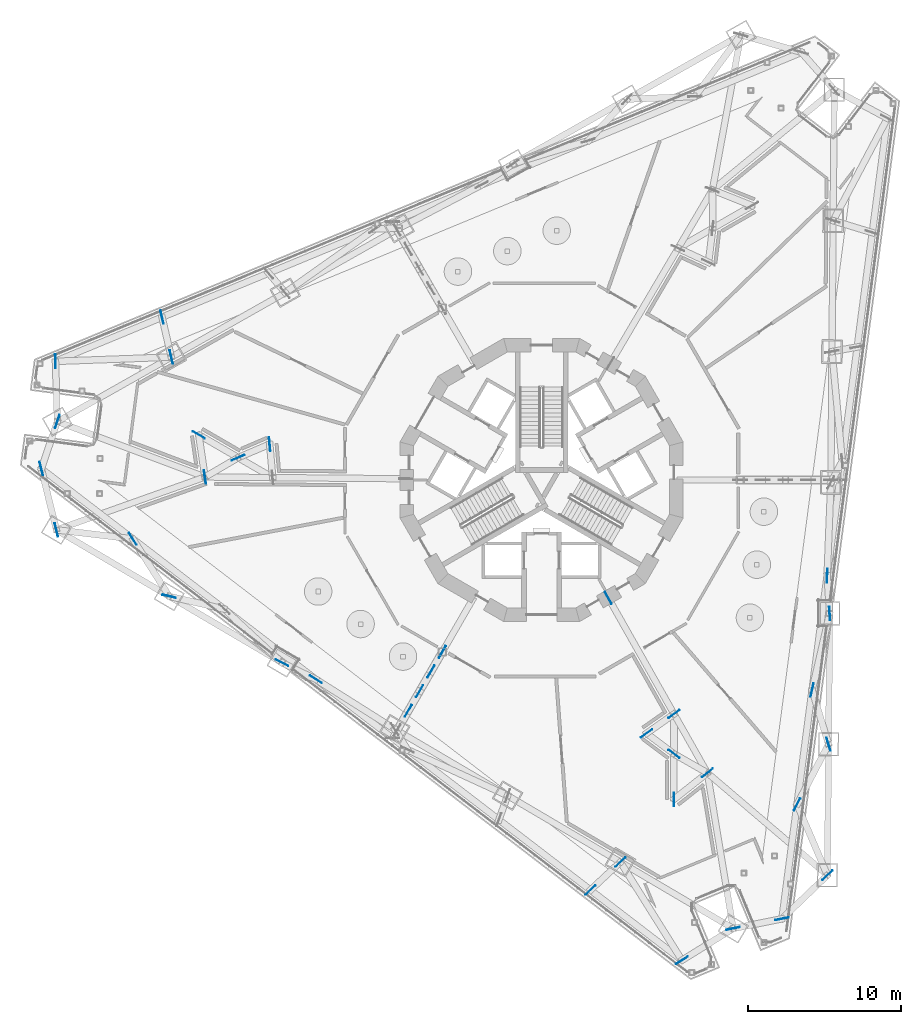
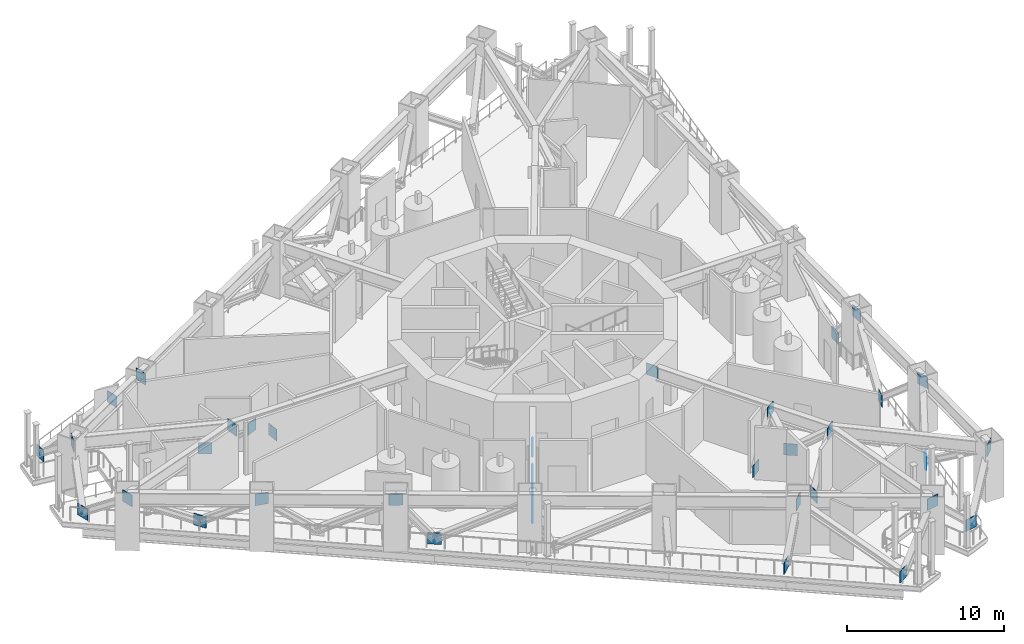
# One storey, part 13 of 23: 37 discrete accessories.
"""IFC4 building model written with IfcOpenShell, lengths in metres."""

from ifc_helpers import new_model, si_unit, direction, frame, origin, origin_2d, place, context, subcontext, project, spatial, rectangle, extrude, material, element, save


model = new_model("IFC4")

# Units and contexts
model_context = context("Model", 3, precision=1e-05, world=origin(), true_north=direction((0.0, 1.0)))
body_context = subcontext(model_context, "Body", "Model", "MODEL_VIEW")
ifc_project = project(units=[si_unit("LENGTHUNIT", "METRE"), si_unit("AREAUNIT", "SQUARE_METRE"), si_unit("VOLUMEUNIT", "CUBIC_METRE"), si_unit("PLANEANGLEUNIT", "RADIAN"), si_unit("MASSUNIT", "GRAM", prefix="KILO")], contexts=[model_context])

# Site, building, storey
site_placement = place(None, origin())
site = spatial("IfcSite", under=ifc_project, at=site_placement, CompositionType="ELEMENT")
building_placement = place(site_placement, origin())
building = spatial("IfcBuilding", under=site, at=building_placement, Name="Trine Commons Tower", CompositionType="ELEMENT")
storey_placement = place(building_placement, frame((0.0, 0.0, 156.60009765625)))
storey = spatial("IfcBuildingStorey", under=building, at=storey_placement, Name="L40", CompositionType="ELEMENT", Elevation=156.60009765625)

# Discrete accessories
ifc_material = material(Name="Structural steel ASTM A572 Gr50", Category="steel")
for number, where, z_axis, x_axis, name in (
    (1, (47.248779296875, 63.23681640625, 0.032470703125), (0.0, 0.0, 1.0), (0.239041909578, -0.971009250968, 0.0), "Gusset plate GP4-04"),
    (2, (48.174072265625, 70.264892578125, 0.032470703125), (0.0, 0.0, 1.0), (0.030992084006, -0.999519629987, 0.0), "Gusset plate GP4-05"),
    (3, (53.239990234375, 58.639404296875, 0.032470703125), (0.0, 0.0, 1.0), (0.535016051605, -0.844841893211, 0.0), "Gusset plate GP4-06"),
    (4, (55.151123046875, 73.155029296875, 0.032470703125), (0.0, 0.0, 1.0), (0.225444198516, -0.974256082021, 0.0), "Gusset plate GP4-07"),
    (5, (57.556884765625, 65.45458984375, 0.032470703125), (0.0, 0.0, 1.0), (0.865422637347, -0.501042571812, 0.0), "Gusset plate GP4-08"),
    (6, (62.198974609375, 64.843505859375, 0.032470703125), (0.0, 0.0, 1.0), (0.089224591698, -0.99601153218, 0.0), "Gusset plate GP4-11"),
    (7, (65.222900390625, 49.444580078125, 0.032470703125), (0.0, 0.0, 1.0), (0.845541503578, -0.533909698101, 0.0), "Gusset plate GP4-12"),
    (8, (83.197021484375, 35.652587890625, 0.032470703125), (0.0, 0.0, 1.0), (0.731008417564, 0.682368444061, 0.0), "Gusset plate GP4-18"),
    (9, (86.87109375, 45.912109375, 0.032470703125), (0.0, 0.0, 1.0), (0.817938912044, 0.575305080948, 0.0), "Gusset plate GP4-19"),
    (10, (88.66259765625, 41.58642578125, 0.032470703125), (0.0, 0.0, 1.0), (0.001204276893, 0.999999274858, 0.0), "Gusset plate GP4-20"),
    (11, (89.188232421875, 31.055419921875, 0.032470703125), (0.0, 0.0, 1.0), (0.850122539917, 0.526584909701, 0.0), "Gusset plate GP4-21"),
    (12, (95.737548828125, 33.768310546875, 0.032470703125), (0.0, 0.0, 1.0), (-0.98081251059, -0.194953376656, 0.0), "Gusset plate GP4-25"),
    (13, (96.723388671875, 41.255615234375, 0.032470703125), (0.0, 0.0, 1.0), (0.4641465159, 0.885758438728, 0.0), "Gusset plate GP4-26"),
    (14, (97.708984375, 48.742919921875, 0.032470703125), (0.0, 0.0, 1.0), (0.223760469153, 0.974644167091, 0.0), "Gusset plate GP4-28"),
    (15, (98.69482421875, 56.230224609375, 0.032470703125), (0.0, 0.0, 1.0), (0.039608610093, 0.999215271104, 0.0), "Gusset plate GP4-29"),
    (16, (72.015380859375, 48.67041015625, 0.07373046875), (0.0, 0.0, 1.0), (-0.5, -0.866025403784, 0.0), "Gusset plate GP4-38"),
    (17, (73.5, 51.24169921875, 0.07373046875), (0.0, 0.0, 1.0), (-0.5, -0.866025403784, 0.0), "Gusset plate GP4-40"),
    (18, (71.273193359375, 47.384765625, 1.625), (0.0, 0.0, 1.0), (-0.499984884929, -0.866034130299, 0.0), "Gusset plate GP4-46"),
    (19, (72.7578125, 49.9560546875, 1.625), (0.0, 0.0, 1.0), (-0.5, -0.866025403784, 0.0), "Gusset plate GP4-48"),
    (20, (60.13525390625, 63.9619140625, 1.707763671875), (0.0, 0.0, 1.0), (-0.919581660612, -0.392898930345, 0.0), "Gusset plate GP4-52"),
    (21, (88.666259765625, 44.56591796875, 1.707763671875), (0.0, 0.0, 1.0), (0.800061755765, -0.599917650151, 0.0), "Gusset plate GP4-53"),
    (22, (48.234375, 59.232666015625, 3.176025390625), (0.0, 0.0, 1.0), (0.239041909578, -0.971009250968, 0.0), "Gusset plate GP4-55"),
    (23, (48.29638671875, 66.3212890625, 3.176025390625), (0.0, 0.0, 1.0), (0.321588204774, 0.94687962622, 0.0), "Gusset plate GP4-56"),
    (24, (55.619140625, 54.8828125, 3.176025390625), (0.0, 0.0, 1.0), (-0.973975967279, 0.226651307437, 0.0), "Gusset plate GP4-57"),
    (25, (55.755859375, 70.541748046875, 3.176025390625), (0.0, 0.0, 1.0), (0.225444198516, -0.974256082021, 0.0), "Gusset plate GP4-58"),
    (26, (57.962890625, 62.6923828125, 3.176025390625), (0.0, 0.0, 1.0), (0.145340546938, -0.989381688438, 0.0), "Gusset plate GP4-59"),
    (27, (63.00390625, 50.53271484375, 3.176025390625), (0.0, 0.0, 1.0), (-0.897866269318, 0.440268284596, 0.0), "Gusset plate GP4-61"),
    (28, (72.015380859375, 48.67041015625, 3.176025390625), (0.0, 0.0, 1.0), (-0.5, -0.866025403784, 0.0), "Gusset plate GP4-66"),
    (29, (73.5, 51.24169921875, 3.176025390625), (0.0, 0.0, 1.0), (-0.5, -0.866025403784, 0.0), "Gusset plate GP4-68"),
    (30, (84.369384765625, 54.777099609375, 3.176025390625), (0.0, 0.0, 1.0), (0.492423560103, -0.87035569594, 0.0), "Gusset plate GP4-72"),
    (31, (85.15771484375, 37.483154296875, 3.176025390625), (0.0, 0.0, 1.0), (0.731008417564, 0.682368444061, 0.0), "Gusset plate GP4-74"),
    (32, (88.66943359375, 47.177001953125, 3.176025390625), (0.0, 0.0, 1.0), (0.817938912044, 0.575305080948, 0.0), "Gusset plate GP4-76"),
    (33, (90.85205078125, 43.319091796875, 3.176025390625), (0.0, 0.0, 1.0), (0.784159402757, 0.620559450067, 0.0), "Gusset plate GP4-78"),
    (34, (92.54248046875, 33.133056640625, 3.176025390625), (0.0, 0.0, 1.0), (-0.98081251059, -0.194953376656, 0.0), "Gusset plate GP4-80"),
    (35, (98.71240234375, 36.623779296875, 3.176025390625), (0.0, 0.0, 1.0), (0.721397723859, 0.692520991747, 0.0), "Gusset plate GP4-84"),
    (36, (98.787109375, 45.194091796875, 3.176025390625), (0.0, 0.0, 1.0), (0.290685494007, -0.956818657622, 0.0), "Gusset plate GP4-85"),
    (37, (98.862060546875, 53.764404296875, 3.176025390625), (0.0, 0.0, 1.0), (0.067649615718, -0.997709140728, 0.0), "Gusset plate GP4-86"),
):
    element("IfcDiscreteAccessory", number, at=place(storey_placement, frame(where, z_axis=z_axis, x_axis=x_axis)), inside=storey, material=ifc_material, Name=name, PredefinedType="BRACKET", context=body_context, shape_type="SweptSolid", body=[
        extrude(rectangle(XDim=0.89990234375, YDim=0.0400390625, at=origin_2d()), origin(), (0.0, 0.0, 1.0), 0.89990234375),
    ])

save(model, "model.ifc")
